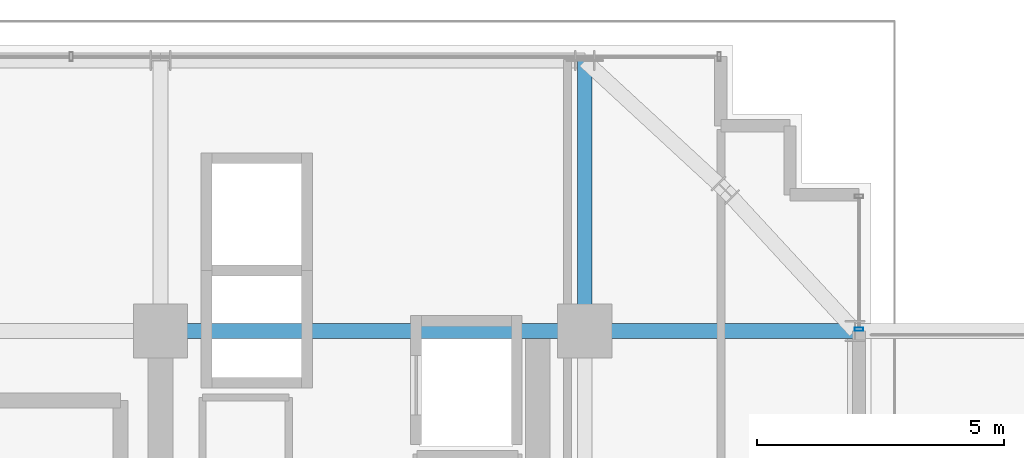
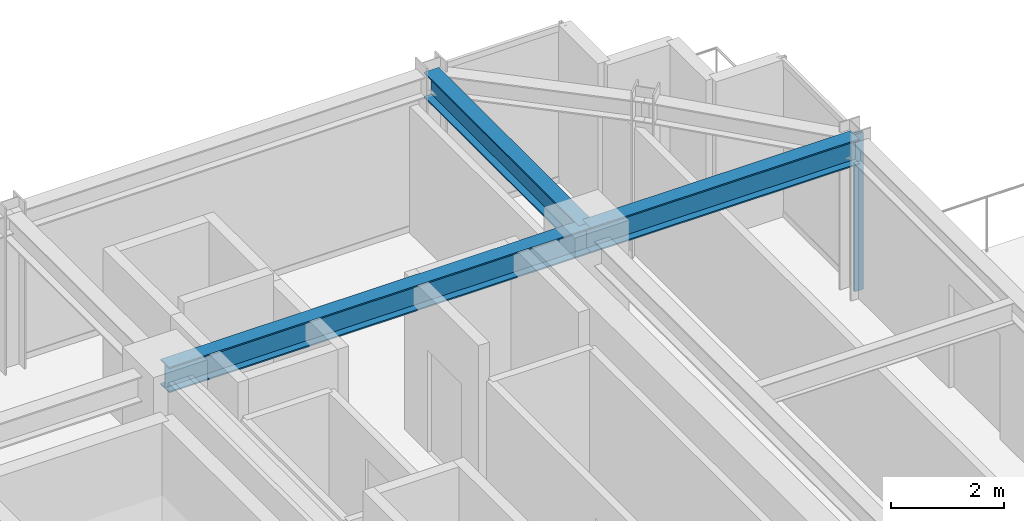
# One storey, part 21 of 33: 3 beams, 1 member, 1 element without a shape of its own.
"""IFC4 building model written with IfcOpenShell, lengths in metres."""

from ifc_helpers import new_model, si_unit, direction, frame, origin, origin_2d, place, context, subcontext, project, spatial, hollow_rectangle, i_section, extrude, source, transform, mapped, material, material_profile, profile_set, type_object, element, aggregate, save


model = new_model("IFC4")

# Units and contexts
model_context = context("Model", 3, precision=1e-05, world=origin(), true_north=direction((0.0, 1.0)))
body_context = subcontext(model_context, "Body", "Model", "MODEL_VIEW")
ifc_project = project(units=[si_unit("LENGTHUNIT", "METRE"), si_unit("AREAUNIT", "SQUARE_METRE"), si_unit("VOLUMEUNIT", "CUBIC_METRE"), si_unit("PLANEANGLEUNIT", "RADIAN"), si_unit("MASSUNIT", "GRAM", prefix="KILO")], contexts=[model_context])

# Site, building, storey
site_placement = place(None, origin())
site = spatial("IfcSite", under=ifc_project, at=site_placement, CompositionType="ELEMENT")
building_placement = place(site_placement, origin())
building = spatial("IfcBuilding", under=site, at=building_placement, Name="Nahalor Promenade Grand Hotel", CompositionType="ELEMENT")
storey_placement = place(building_placement, frame((0.0, 0.0, 149.0)))
storey = spatial("IfcBuildingStorey", under=building, at=storey_placement, Name="L37", CompositionType="ELEMENT", Elevation=149.0)

# Beams
ifc_material_1 = material(Name="Steel S355JR", Category="steel")
ifc_material_profile_1 = material_profile(ifc_material_1, i_section(OverallWidth=0.3, OverallDepth=0.55, WebThickness=0.015, FlangeThickness=0.029, at=origin_2d()), Name="HEB 550")
ifc_profile_set_1 = profile_set([ifc_material_profile_1], Name="Steel S355JR")
beam_type = type_object("IfcBeamType", Name="Beam-Girder-HEB550", PredefinedType="BEAM", material=ifc_profile_set_1)
shared_shape_1 = source(origin(), body_context, "Body", "SweptSolid", [
    extrude(i_section(OverallWidth=0.3, OverallDepth=0.55, WebThickness=0.015, FlangeThickness=0.029, at=origin_2d()), origin(), (0.0, 0.0, 1.0), 8.60009765625),
])
beam_placement = place(storey_placement, frame((8.39990234375, 17.0, 3.114990234375), z_axis=(1.0, 0.0, 0.0), x_axis=(0.0, 1.0, 0.0)))
element("IfcBeam", 1, at=beam_placement, inside=storey, type_object=beam_type, Name="BM-L37-GX-3-5", PredefinedType="BEAM", context=body_context, shape_type="MappedRepresentation", body=[
    mapped(shared_shape_1, transform((0.0, 0.0, 0.0), scale=1.0)),
])
shared_shape_2 = source(origin(), body_context, "Body", "SweptSolid", [
    extrude(i_section(OverallWidth=0.3, OverallDepth=0.55, WebThickness=0.015, FlangeThickness=0.029, at=origin_2d()), origin(), (0.0, 0.0, 1.0), 5.47998046875),
])
for number, where, z_axis, x_axis, name in (
    (2, (17.0, 17.0, 3.114990234375), (1.0, 0.0, 0.0), (0.0, 1.0, 0.0), "BM-L37-GX-3-6"),
    (3, (17.0, 17.0, 3.114990234375), (0.0, 1.0, 0.0), (-1.0, 0.0, 0.0), "BM-L37-GY-5-4"),
):
    element("IfcBeam", number, at=place(storey_placement, frame(where, z_axis=z_axis, x_axis=x_axis)), inside=storey, type_object=beam_type, Name=name, PredefinedType="BEAM", context=body_context, shape_type="MappedRepresentation", body=[
        mapped(shared_shape_2, transform((0.0, 0.0, 0.0), scale=1.0)),
    ])

# Curtain wall, member
ifc_material_2 = material(Name="Anodised Bronze Aluminium EN AW-6063 T6", Category="aluminium")
curtain_wall_type = type_object("IfcCurtainWallType", Name="CW2 Typical Hotel Flush Bronze Unitised Curtain Wall", PredefinedType="USERDEFINED", material=ifc_material_2)
curtain_wall_placement = place(storey_placement, origin())
curtain_wall = element("IfcCurtainWall", 4, at=curtain_wall_placement, inside=storey, type_object=curtain_wall_type, Name="L37 Curtain Wall CW-L37-E-3", ObjectType="UNITISED_CURTAIN_WALL", PredefinedType="USERDEFINED")
ifc_material_profile_2 = material_profile(ifc_material_2, hollow_rectangle(XDim=0.065, YDim=0.18, WallThickness=0.004, at=origin_2d()), Name="CWM 65x180x4")
ifc_profile_set_2 = profile_set([ifc_material_profile_2], Name="Anodised Bronze Aluminium EN AW-6063 T6")
member_type = type_object("IfcMemberType", Name="CWM2 Typical Bronze Mullion 65x180", PredefinedType="MULLION", material=ifc_profile_set_2)
shared_shape_3 = source(origin(), body_context, "Body", "SweptSolid", [
    extrude(hollow_rectangle(XDim=0.065, YDim=0.18, WallThickness=0.004, at=origin_2d()), origin(), (0.0, 0.0, 1.0), 3.389892578125),
])
member_placement = place(storey_placement, frame((22.56005859375, 17.032470703125, 0.0), z_axis=(0.0, 0.0, 1.0), x_axis=(0.0, 1.0, 0.0)))
member = element("IfcMember", 5, at=member_placement, type_object=member_type, Name="CW-L37-E-3 Mullion 0", PredefinedType="MULLION", context=body_context, shape_type="MappedRepresentation", body=[
    mapped(shared_shape_3, transform((0.0, 0.0, 0.0), scale=1.0)),
])
aggregate(curtain_wall, [member])

save(model, "model.ifc")
